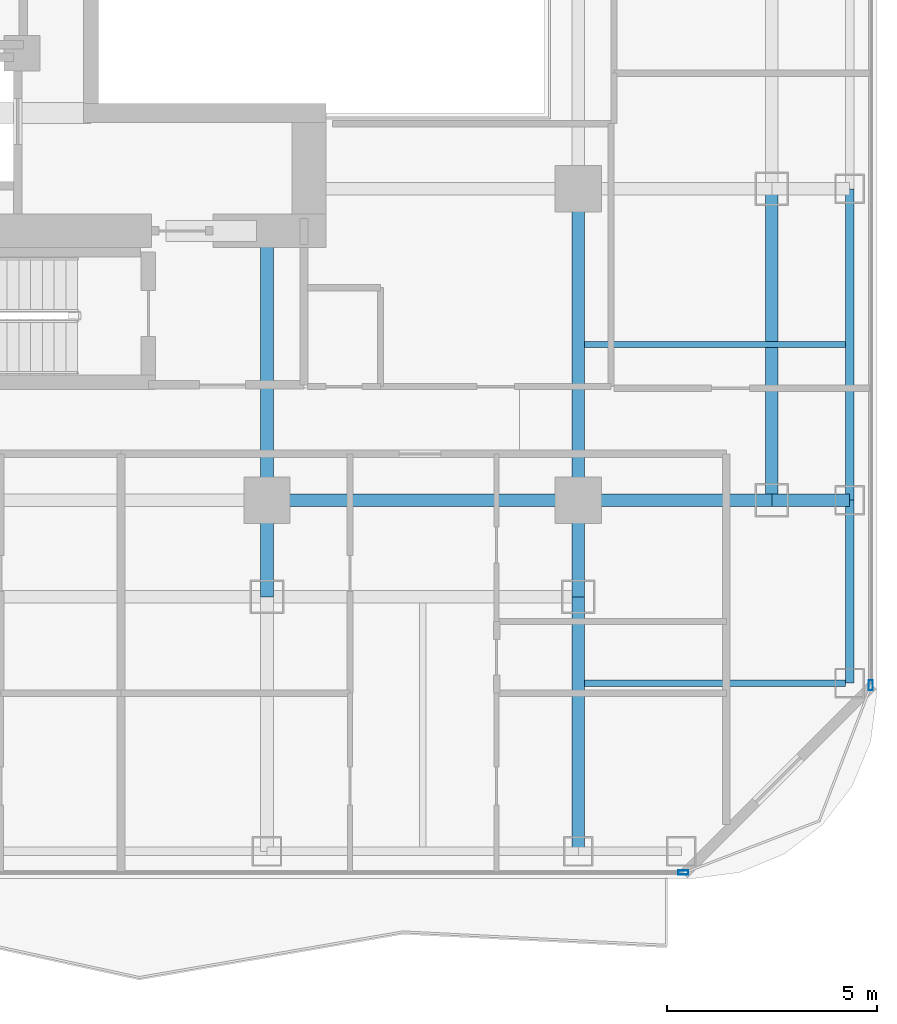
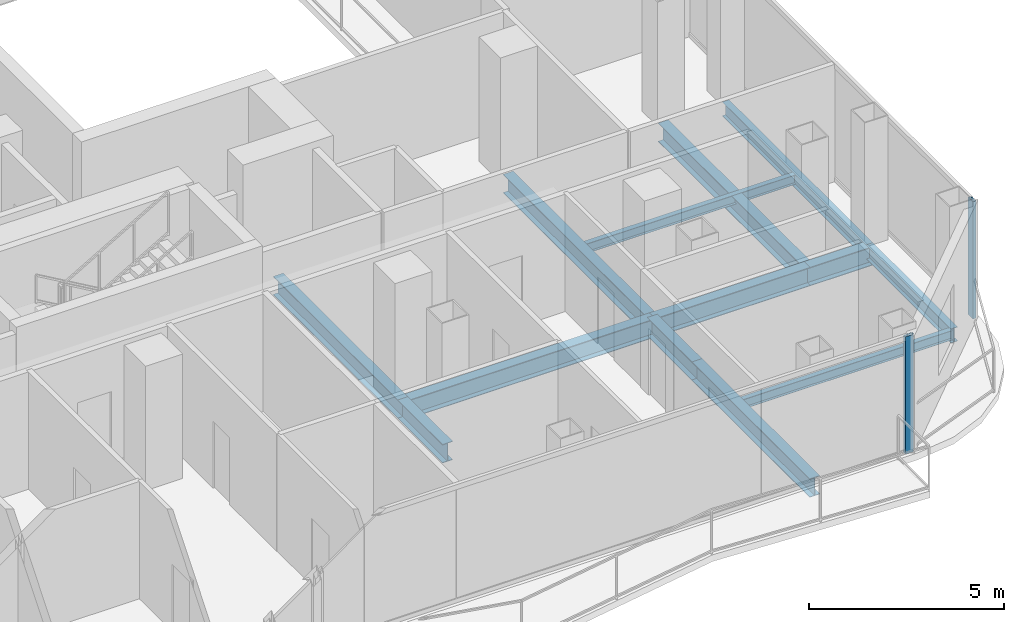
# One storey, part 7 of 26: 13 beams, 2 members, 2 elements without a shape of their own.
"""IFC4 building model written with IfcOpenShell, lengths in metres."""

from ifc_helpers import new_model, si_unit, direction, frame, origin, origin_2d, place, context, subcontext, project, spatial, hollow_rectangle, i_section, extrude, material, layer, layer_set, material_profile, profile_set, type_object, element, aggregate, save


model = new_model("IFC4")

# Units and contexts
model_context = context("Model", 3, precision=1e-05, world=origin(), true_north=direction((0.0, 1.0)))
body_context = subcontext(model_context, "Body", "Model", "MODEL_VIEW")
ifc_project = project(units=[si_unit("LENGTHUNIT", "METRE"), si_unit("AREAUNIT", "SQUARE_METRE"), si_unit("VOLUMEUNIT", "CUBIC_METRE"), si_unit("PLANEANGLEUNIT", "RADIAN"), si_unit("MASSUNIT", "GRAM", prefix="KILO")], contexts=[model_context])

# Site, building, storey
site_placement = place(None, origin())
site = spatial("IfcSite", under=ifc_project, at=site_placement, CompositionType="ELEMENT")
building_placement = place(site_placement, origin())
building = spatial("IfcBuilding", under=site, at=building_placement, Name="Khorvyn Point Tower", CompositionType="ELEMENT")
storey_placement = place(building_placement, frame((0.0, 0.0, 183.60009765625)))
storey = spatial("IfcBuildingStorey", under=building, at=storey_placement, Name="L45", CompositionType="ELEMENT", Elevation=183.60009765625)

# Curtain wall, member
ifc_material_1 = material(Name="Anodised aluminium 6063-T6 and laminated Low-E glass", Category="aluminium")
ifc_layer = layer(ifc_material_1, 0.18994140625)
ifc_layer_set = layer_set([ifc_layer], Name="Stick-Built Acoustic Curtain Wall CW-SYS-03")
curtain_wall_type = type_object("IfcCurtainWallType", Name="Stick-Built Acoustic Curtain Wall CW-SYS-03", PredefinedType="NOTDEFINED", material=ifc_layer_set)
curtain_wall_1_placement = place(storey_placement, origin())
curtain_wall_1 = element("IfcCurtainWall", 1, at=curtain_wall_1_placement, inside=storey, type_object=curtain_wall_type, Name="Curtain Wall", PredefinedType="NOTDEFINED")
ifc_material_2 = material(Name="Anodised aluminium 6063-T6", Category="aluminium")
ifc_material_profile_1 = material_profile(ifc_material_2, hollow_rectangle(XDim=0.10009765625, YDim=0.239990234375, WallThickness=0.0048828125, at=origin_2d()))
ifc_profile_set_1 = profile_set([ifc_material_profile_1], Name="Anodised aluminium 6063-T6 ALU-MUL-100x240")
member_type = type_object("IfcMemberType", Name="Anodised Aluminium 6063-T6 Mullion ALU-MUL-100x240", PredefinedType="MULLION", material=ifc_profile_set_1)
member_1_placement = place(storey_placement, frame((17.300048828125, -23.64990234375, 0.0), z_axis=(0.0, 0.0, 1.0), x_axis=(0.0, -1.0, 0.0)))
member_1 = element("IfcMember", 2, at=member_1_placement, type_object=member_type, Name="Transom", PredefinedType="MULLION", context=body_context, shape_type="SweptSolid", body=[
    extrude(hollow_rectangle(XDim=0.10009765625, YDim=0.239990234375, WallThickness=0.0048828125, at=origin_2d()), origin(), (0.0, 0.0, 1.0), 3.679931640625),
])
aggregate(curtain_wall_1, [member_1])

curtain_wall_2_placement = place(storey_placement, origin())
curtain_wall_2 = element("IfcCurtainWall", 3, at=curtain_wall_2_placement, inside=storey, type_object=curtain_wall_type, Name="Curtain Wall", PredefinedType="NOTDEFINED")
member_2_placement = place(storey_placement, frame((21.75, -19.199951171875, 0.0), z_axis=(0.0, 0.0, 1.0), x_axis=(1.0, 0.0, 0.0)))
member_2 = element("IfcMember", 4, at=member_2_placement, type_object=member_type, Name="Transom", PredefinedType="MULLION", context=body_context, shape_type="SweptSolid", body=[
    extrude(hollow_rectangle(XDim=0.10009765625, YDim=0.239990234375, WallThickness=0.0048828125, at=origin_2d()), origin(), (0.0, 0.0, 1.0), 3.679931640625),
])
aggregate(curtain_wall_2, [member_2])

# Beams
ifc_material_3 = material(Name="Steel S355", Category="steel")
ifc_material_profile_2 = material_profile(ifc_material_3, i_section(OverallWidth=0.300048828125, OverallDepth=0.587890625, WebThickness=0.011962890625, FlangeThickness=0.02001953125, at=origin_2d()))
ifc_profile_set_2 = profile_set([ifc_material_profile_2], Name="Steel S355 H588x300x12x20")
beam_type_1 = type_object("IfcBeamType", Name="Steel S355 Beam H588x300x12x20", PredefinedType="BEAM", material=ifc_profile_set_2)
beam_1_placement = place(storey_placement, frame((7.39990234375, -14.800048828125, -0.51416015625), z_axis=(1.0, 0.0, 0.0), x_axis=(0.0, 1.0, 0.0)))
element("IfcBeam", 5, at=beam_1_placement, inside=storey, type_object=beam_type_1, Name="Beam", PredefinedType="BEAM", context=body_context, shape_type="SweptSolid", body=[
    extrude(i_section(OverallWidth=0.300048828125, OverallDepth=0.587890625, WebThickness=0.011962890625, FlangeThickness=0.02001953125, at=origin_2d()), origin(), (0.0, 0.0, 1.0), 7.400146484375),
])
beam_2_placement = place(storey_placement, frame((14.800048828125, -14.800048828125, -0.51416015625), z_axis=(1.0, 0.0, 0.0), x_axis=(0.0, 1.0, 0.0)))
element("IfcBeam", 6, at=beam_2_placement, inside=storey, type_object=beam_type_1, Name="Beam", PredefinedType="BEAM", context=body_context, shape_type="SweptSolid", body=[
    extrude(i_section(OverallWidth=0.300048828125, OverallDepth=0.587890625, WebThickness=0.011962890625, FlangeThickness=0.02001953125, at=origin_2d()), origin(), (0.0, 0.0, 1.0), 4.599853515625),
])
beam_3_placement = place(storey_placement, frame((19.39990234375, -14.800048828125, -0.51416015625), z_axis=(1.0, 0.0, 0.0), x_axis=(0.0, 1.0, 0.0)))
element("IfcBeam", 7, at=beam_3_placement, inside=storey, type_object=beam_type_1, Name="Beam", PredefinedType="BEAM", context=body_context, shape_type="SweptSolid", body=[
    extrude(i_section(OverallWidth=0.300048828125, OverallDepth=0.587890625, WebThickness=0.011962890625, FlangeThickness=0.02001953125, at=origin_2d()), origin(), (0.0, 0.0, 1.0), 1.85009765625),
])
beam_4_placement = place(storey_placement, frame((14.800048828125, -23.14990234375, -0.51416015625), z_axis=(0.0, 1.0, 0.0), x_axis=(-1.0, 0.0, 0.0)))
element("IfcBeam", 8, at=beam_4_placement, inside=storey, type_object=beam_type_1, Name="Beam", PredefinedType="BEAM", context=body_context, shape_type="SweptSolid", body=[
    extrude(i_section(OverallWidth=0.300048828125, OverallDepth=0.587890625, WebThickness=0.011962890625, FlangeThickness=0.02001953125, at=origin_2d()), origin(), (0.0, 0.0, 1.0), 6.0498046875),
])
beam_5_placement = place(storey_placement, frame((14.800048828125, -17.10009765625, -0.51416015625), z_axis=(0.0, 1.0, 0.0), x_axis=(-1.0, 0.0, 0.0)))
element("IfcBeam", 9, at=beam_5_placement, inside=storey, type_object=beam_type_1, Name="Beam", PredefinedType="BEAM", context=body_context, shape_type="SweptSolid", body=[
    extrude(i_section(OverallWidth=0.300048828125, OverallDepth=0.587890625, WebThickness=0.011962890625, FlangeThickness=0.02001953125, at=origin_2d()), origin(), (0.0, 0.0, 1.0), 2.300048828125),
])
beam_6_placement = place(storey_placement, frame((14.800048828125, -14.800048828125, -0.51416015625), z_axis=(0.0, 1.0, 0.0), x_axis=(-1.0, 0.0, 0.0)))
element("IfcBeam", 10, at=beam_6_placement, inside=storey, type_object=beam_type_1, Name="Beam", PredefinedType="BEAM", context=body_context, shape_type="SweptSolid", body=[
    extrude(i_section(OverallWidth=0.300048828125, OverallDepth=0.587890625, WebThickness=0.011962890625, FlangeThickness=0.02001953125, at=origin_2d()), origin(), (0.0, 0.0, 1.0), 7.400146484375),
])
beam_7_placement = place(storey_placement, frame((7.39990234375, -17.10009765625, -0.51416015625), z_axis=(0.0, 1.0, 0.0), x_axis=(-1.0, 0.0, 0.0)))
element("IfcBeam", 11, at=beam_7_placement, inside=storey, type_object=beam_type_1, Name="Beam", PredefinedType="BEAM", context=body_context, shape_type="SweptSolid", body=[
    extrude(i_section(OverallWidth=0.300048828125, OverallDepth=0.587890625, WebThickness=0.011962890625, FlangeThickness=0.02001953125, at=origin_2d()), origin(), (0.0, 0.0, 1.0), 2.300048828125),
])
beam_8_placement = place(storey_placement, frame((7.39990234375, -14.800048828125, -0.51416015625), z_axis=(0.0, 1.0, 0.0), x_axis=(-1.0, 0.0, 0.0)))
element("IfcBeam", 12, at=beam_8_placement, inside=storey, type_object=beam_type_1, Name="Beam", PredefinedType="BEAM", context=body_context, shape_type="SweptSolid", body=[
    extrude(i_section(OverallWidth=0.300048828125, OverallDepth=0.587890625, WebThickness=0.011962890625, FlangeThickness=0.02001953125, at=origin_2d()), origin(), (0.0, 0.0, 1.0), 6.400146484375),
])
beam_9_placement = place(storey_placement, frame((19.39990234375, -14.800048828125, -0.51416015625), z_axis=(0.0, 1.0, 0.0), x_axis=(-1.0, 0.0, 0.0)))
element("IfcBeam", 13, at=beam_9_placement, inside=storey, type_object=beam_type_1, Name="Beam", PredefinedType="BEAM", context=body_context, shape_type="SweptSolid", body=[
    extrude(i_section(OverallWidth=0.300048828125, OverallDepth=0.587890625, WebThickness=0.011962890625, FlangeThickness=0.02001953125, at=origin_2d()), origin(), (0.0, 0.0, 1.0), 7.400146484375),
])
ifc_material_profile_3 = material_profile(ifc_material_3, i_section(OverallWidth=0.14990234375, OverallDepth=0.300048828125, WebThickness=0.006591796875, FlangeThickness=0.009033203125, at=origin_2d()))
ifc_profile_set_3 = profile_set([ifc_material_profile_3], Name="Steel S355 H300x150x6.5x9")
beam_type_2 = type_object("IfcBeamType", Name="Steel S355 Joist H300x150x6.5x9", PredefinedType="JOIST", material=ifc_profile_set_3)
for number, where, z_axis, x_axis, name in (
    (14, (14.949951171875, -11.10009765625, -0.3701171875), (1.0, 0.0, 0.0), (0.0, 1.0, 0.0), "Beam"),
    (15, (14.949951171875, -19.14990234375, -0.3701171875), (1.0, 0.0, 0.0), (0.0, 1.0, 0.0), "Beam"),
):
    element("IfcBeam", number, at=place(storey_placement, frame(where, z_axis=z_axis, x_axis=x_axis)), inside=storey, type_object=beam_type_2, Name=name, PredefinedType="JOIST", context=body_context, shape_type="SweptSolid", body=[
        extrude(i_section(OverallWidth=0.14990234375, OverallDepth=0.300048828125, WebThickness=0.006591796875, FlangeThickness=0.009033203125, at=origin_2d()), origin(), (0.0, 0.0, 1.0), 6.199951171875),
    ])
ifc_material_profile_4 = material_profile(ifc_material_3, i_section(OverallWidth=0.199951171875, OverallDepth=0.449951171875, WebThickness=0.009033203125, FlangeThickness=0.013916015625, at=origin_2d()))
ifc_profile_set_4 = profile_set([ifc_material_profile_4], Name="Steel S355 H450x200x9x14")
beam_type_3 = type_object("IfcBeamType", Name="Steel S355 Spandrel H450x200x9x14", PredefinedType="SPANDREL", material=ifc_profile_set_4)
beam_10_placement = place(storey_placement, frame((21.25, -19.14990234375, -0.445068359375), z_axis=(0.0, 1.0, 0.0), x_axis=(-1.0, 0.0, 0.0)))
element("IfcBeam", 16, at=beam_10_placement, inside=storey, type_object=beam_type_3, Name="Beam", PredefinedType="SPANDREL", context=body_context, shape_type="SweptSolid", body=[
    extrude(i_section(OverallWidth=0.199951171875, OverallDepth=0.449951171875, WebThickness=0.009033203125, FlangeThickness=0.013916015625, at=origin_2d()), origin(), (0.0, 0.0, 1.0), 4.349853515625),
])
beam_11_placement = place(storey_placement, frame((21.25, -14.800048828125, -0.445068359375), z_axis=(0.0, 1.0, 0.0), x_axis=(-1.0, 0.0, 0.0)))
element("IfcBeam", 17, at=beam_11_placement, inside=storey, type_object=beam_type_3, Name="Beam", PredefinedType="SPANDREL", context=body_context, shape_type="SweptSolid", body=[
    extrude(i_section(OverallWidth=0.199951171875, OverallDepth=0.449951171875, WebThickness=0.009033203125, FlangeThickness=0.013916015625, at=origin_2d()), origin(), (0.0, 0.0, 1.0), 7.400146484375),
])

save(model, "model.ifc")
